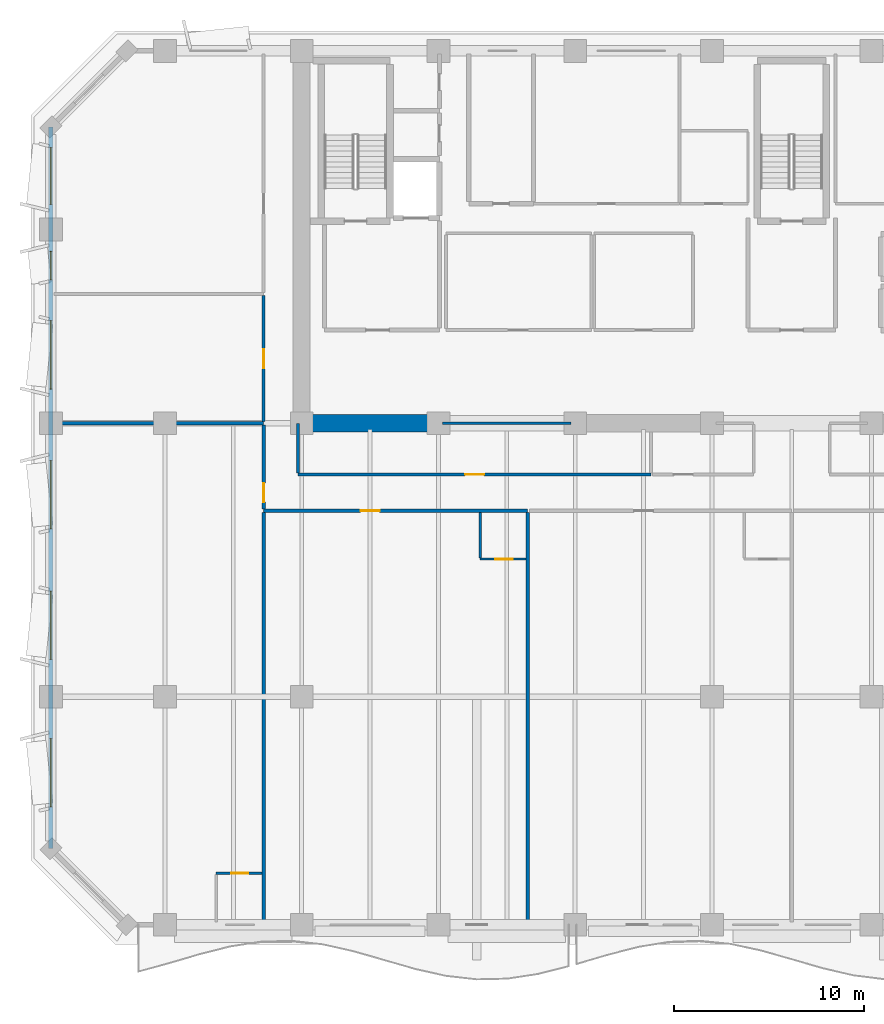
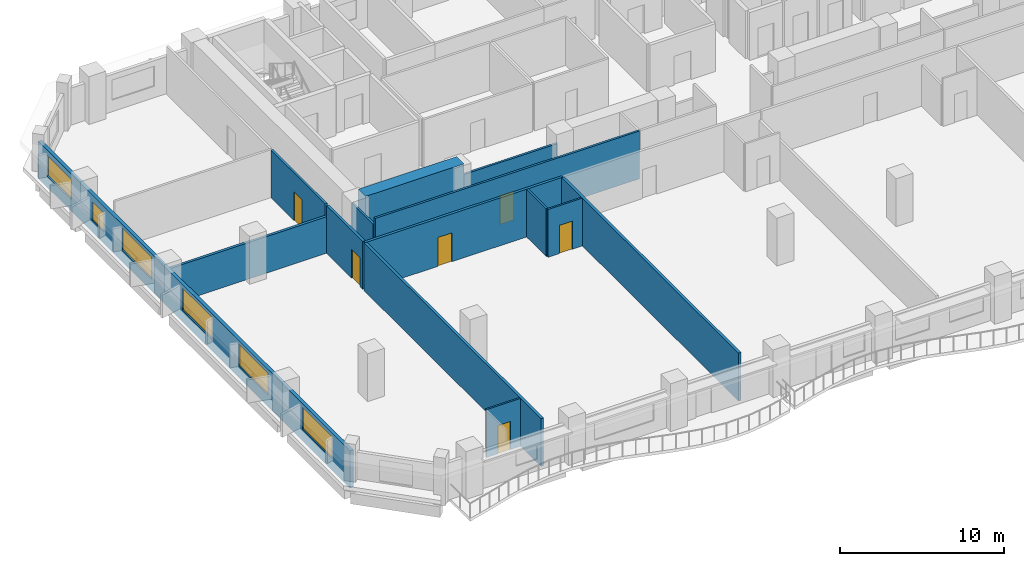
# One storey, part 4 of 14: 14 walls, 6 doors, 6 windows, 12 openings.
"""IFC4 building model written with IfcOpenShell, lengths in metres."""

from ifc_helpers import new_model, si_unit, direction, frame, frame_2d, origin, place, context, subcontext, project, spatial, rectangle, extrude, material, layer, layer_set, type_object, element, fill, save


model = new_model("IFC4")

# Units and contexts
model_context = context("Model", 3, precision=1e-05, world=origin(), true_north=direction((0.0, 1.0)))
body_context = subcontext(model_context, "Body", "Model", "MODEL_VIEW")
ifc_project = project(units=[si_unit("LENGTHUNIT", "METRE"), si_unit("AREAUNIT", "SQUARE_METRE"), si_unit("VOLUMEUNIT", "CUBIC_METRE"), si_unit("PLANEANGLEUNIT", "RADIAN"), si_unit("MASSUNIT", "GRAM", prefix="KILO")], contexts=[model_context])

# Site, building, storey
site_placement = place(None, origin())
site = spatial("IfcSite", under=ifc_project, at=site_placement, CompositionType="ELEMENT")
building_placement = place(site_placement, origin())
building = spatial("IfcBuilding", under=site, at=building_placement, Name="Kaelvorn Grand Hotel", CompositionType="ELEMENT")
storey_placement = place(building_placement, frame((0.0, 0.0, 220.550048828125)))
storey = spatial("IfcBuildingStorey", under=building, at=storey_placement, Name="L54", CompositionType="ELEMENT", Elevation=220.550048828125)

# Wall
ifc_material_1 = material(Name="Concrete C60/75", Category="concrete")
ifc_layer_1 = layer(ifc_material_1, 0.89990234375)
ifc_layer_set_1 = layer_set([ifc_layer_1], Name="Concrete C60/75")
wall_type_1 = type_object("IfcWallType", Name="WL-CORE-900-C60", PredefinedType="SHEAR", material=ifc_layer_set_1)
wall_1_placement = place(storey_placement, frame((16.655029296875, 29.39990234375, 0.0), z_axis=(0.0, 0.0, 1.0), x_axis=(1.0, 0.0, 0.0)))
element("IfcWall", 1, at=wall_1_placement, inside=storey, type_object=wall_type_1, Name="L54 Rear-Core Coupled Shear Pier S1", PredefinedType="SHEAR", context=body_context, shape_type="SweptSolid", body=[
    extrude(rectangle(XDim=6.945068359375, YDim=0.89990234375, at=frame_2d((3.47265625, 0.0))), origin(), (0.0, 0.0, 1.0), 3.56005859375),
])

# Wall, openings, windows
ifc_material_2 = material(Name="Concrete C40/50", Category="concrete")
ifc_layer_2 = layer(ifc_material_2, 0.239990234375)
ifc_layer_set_2 = layer_set([ifc_layer_2], Name="Concrete C40/50")
wall_type_2 = type_object("IfcWallType", Name="WL-EXT-240-C40", PredefinedType="SOLIDWALL", material=ifc_layer_set_2)
wall_2_placement = place(storey_placement, frame((3.0, 45.0, 0.0), z_axis=(0.0, 0.0, 1.0), x_axis=(0.0, -1.0, 0.0)))
wall_2 = element("IfcWall", 2, at=wall_2_placement, inside=storey, type_object=wall_type_2, Name="L54 Exterior Architectural Concrete Wall 07", PredefinedType="SOLIDWALL", context=body_context, shape_type="SweptSolid", body=[
    extrude(rectangle(XDim=38.0, YDim=0.239990234375, at=frame_2d((19.0, 0.0))), origin(), (0.0, 0.0, 1.0), 2.760009765625),
])
opening_1_placement = place(wall_2_placement, frame((32.199951171875, 0.0, 0.85009765625)))
opening_1 = element("IfcOpeningElement", 3, at=opening_1_placement, cuts=wall_2, Name="Opening W3", PredefinedType="OPENING", context=body_context, shape_type="SweptSolid", body=[
    extrude(rectangle(XDim=3.60009765625, YDim=1.64990234375, at=frame_2d((1.800048828125, 0.824951171875))), frame((0.0, 0.1298828125, 0.0), z_axis=(0.0, -1.0, 0.0), x_axis=(1.0, 0.0, 0.0)), (0.0, 0.0, 1.0), 0.260009765625),
])
opening_2_placement = place(wall_2_placement, frame((24.43505859375, 0.0, 0.85009765625)))
opening_2 = element("IfcOpeningElement", 4, at=opening_2_placement, cuts=wall_2, Name="Opening W3", PredefinedType="OPENING", context=body_context, shape_type="SweptSolid", body=[
    extrude(rectangle(XDim=3.60009765625, YDim=1.64990234375, at=frame_2d((1.800048828125, 0.824951171875))), frame((0.0, 0.1298828125, 0.0), z_axis=(0.0, -1.0, 0.0), x_axis=(1.0, 0.0, 0.0)), (0.0, 0.0, 1.0), 0.260009765625),
])
opening_3_placement = place(wall_2_placement, frame((17.56494140625, 0.0, 0.85009765625)))
opening_3 = element("IfcOpeningElement", 5, at=opening_3_placement, cuts=wall_2, Name="Opening W3", PredefinedType="OPENING", context=body_context, shape_type="SweptSolid", body=[
    extrude(rectangle(XDim=3.60009765625, YDim=1.64990234375, at=frame_2d((1.800048828125, 0.824951171875))), frame((0.0, 0.1298828125, 0.0), z_axis=(0.0, -1.0, 0.0), x_axis=(1.0, 0.0, 0.0)), (0.0, 0.0, 1.0), 0.260009765625),
])
opening_4_placement = place(wall_2_placement, frame((10.199951171875, 0.0, 0.85009765625)))
opening_4 = element("IfcOpeningElement", 6, at=opening_4_placement, cuts=wall_2, Name="Opening W3", PredefinedType="OPENING", context=body_context, shape_type="SweptSolid", body=[
    extrude(rectangle(XDim=3.60009765625, YDim=1.64990234375, at=frame_2d((1.800048828125, 0.824951171875))), frame((0.0, 0.1298828125, 0.0), z_axis=(0.0, -1.0, 0.0), x_axis=(1.0, 0.0, 0.0)), (0.0, 0.0, 1.0), 0.260009765625),
])
opening_5_placement = place(wall_2_placement, frame((6.550048828125, 0.0, 0.85009765625)))
opening_5 = element("IfcOpeningElement", 7, at=opening_5_placement, cuts=wall_2, Name="Opening W10", PredefinedType="OPENING", context=body_context, shape_type="SweptSolid", body=[
    extrude(rectangle(XDim=1.5, YDim=1.39990234375, at=frame_2d((0.75, 0.699951171875))), frame((0.0, 0.1298828125, 0.0), z_axis=(0.0, -1.0, 0.0), x_axis=(1.0, 0.0, 0.0)), (0.0, 0.0, 1.0), 0.260009765625),
])
opening_6_placement = place(wall_2_placement, frame((1.0849609375, 0.0, 0.85009765625)))
opening_6 = element("IfcOpeningElement", 8, at=opening_6_placement, cuts=wall_2, Name="Opening W5", PredefinedType="OPENING", context=body_context, shape_type="SweptSolid", body=[
    extrude(rectangle(XDim=3.0, YDim=1.5, at=frame_2d((1.5, 0.75))), frame((0.0, 0.1298828125, 0.0), z_axis=(0.0, -1.0, 0.0), x_axis=(1.0, 0.0, 0.0)), (0.0, 0.0, 1.0), 0.260009765625),
])
ifc_material_3 = material(Name="Laminated Low-E Glass", Category="glass")
window_type_1 = type_object("IfcWindowType", Name="WIN-COR-1500x1400", PartitioningType="SINGLE_PANEL", PredefinedType="WINDOW", material=ifc_material_3)
window_1_placement = place(opening_5_placement, origin())
window_1 = element("IfcWindow", 9, at=window_1_placement, inside=storey, type_object=window_type_1, Name="L54 W Wing Tilted-Frame Ribbon Window W05", OverallHeight=1.39990234375, OverallWidth=1.5, PartitioningType="SINGLE_PANEL", PredefinedType="WINDOW", context=body_context, shape_type="SweptSolid", body=[
    extrude(rectangle(XDim=1.5, YDim=1.39990234375, at=frame_2d((0.75, 0.699951171875))), frame((0.0, 0.030029296875, 0.0), z_axis=(0.0, -1.0, 0.0), x_axis=(1.0, 0.0, 0.0)), (0.0, 0.0, 1.0), 0.06005859375),
])
fill(opening_5, window_1)
window_type_2 = type_object("IfcWindowType", Name="WIN-NTH-3000x1500", PartitioningType="SINGLE_PANEL", PredefinedType="WINDOW", material=ifc_material_3)
window_2_placement = place(opening_6_placement, origin())
window_2 = element("IfcWindow", 10, at=window_2_placement, inside=storey, type_object=window_type_2, Name="L54 W Wing Tilted-Frame Ribbon Window W06", OverallHeight=1.5, OverallWidth=3.0, PartitioningType="SINGLE_PANEL", PredefinedType="WINDOW", context=body_context, shape_type="SweptSolid", body=[
    extrude(rectangle(XDim=3.0, YDim=1.5, at=frame_2d((1.5, 0.75))), frame((0.0, 0.030029296875, 0.0), z_axis=(0.0, -1.0, 0.0), x_axis=(1.0, 0.0, 0.0)), (0.0, 0.0, 1.0), 0.06005859375),
])
fill(opening_6, window_2)
window_type_3 = type_object("IfcWindowType", Name="WIN-RIB-3600x1750", PartitioningType="SINGLE_PANEL", PredefinedType="WINDOW", material=ifc_material_3)
window_3_placement = place(opening_1_placement, origin())
window_3 = element("IfcWindow", 11, at=window_3_placement, inside=storey, type_object=window_type_3, Name="L54 W Wing Tilted-Frame Ribbon Window W01", OverallHeight=1.64990234375, OverallWidth=3.60009765625, PartitioningType="SINGLE_PANEL", PredefinedType="WINDOW", context=body_context, shape_type="SweptSolid", body=[
    extrude(rectangle(XDim=3.60009765625, YDim=1.64990234375, at=frame_2d((1.800048828125, 0.824951171875))), frame((0.0, 0.030029296875, 0.0), z_axis=(0.0, -1.0, 0.0), x_axis=(1.0, 0.0, 0.0)), (0.0, 0.0, 1.0), 0.06005859375),
])
fill(opening_1, window_3)
window_4_placement = place(opening_2_placement, origin())
window_4 = element("IfcWindow", 12, at=window_4_placement, inside=storey, type_object=window_type_3, Name="L54 W Wing Tilted-Frame Ribbon Window W02", OverallHeight=1.64990234375, OverallWidth=3.60009765625, PartitioningType="SINGLE_PANEL", PredefinedType="WINDOW", context=body_context, shape_type="SweptSolid", body=[
    extrude(rectangle(XDim=3.60009765625, YDim=1.64990234375, at=frame_2d((1.800048828125, 0.824951171875))), frame((0.0, 0.030029296875, 0.0), z_axis=(0.0, -1.0, 0.0), x_axis=(1.0, 0.0, 0.0)), (0.0, 0.0, 1.0), 0.06005859375),
])
fill(opening_2, window_4)
window_5_placement = place(opening_3_placement, origin())
window_5 = element("IfcWindow", 13, at=window_5_placement, inside=storey, type_object=window_type_3, Name="L54 W Wing Tilted-Frame Ribbon Window W03", OverallHeight=1.64990234375, OverallWidth=3.60009765625, PartitioningType="SINGLE_PANEL", PredefinedType="WINDOW", context=body_context, shape_type="SweptSolid", body=[
    extrude(rectangle(XDim=3.60009765625, YDim=1.64990234375, at=frame_2d((1.800048828125, 0.824951171875))), frame((0.0, 0.030029296875, 0.0), z_axis=(0.0, -1.0, 0.0), x_axis=(1.0, 0.0, 0.0)), (0.0, 0.0, 1.0), 0.06005859375),
])
fill(opening_3, window_5)
window_6_placement = place(opening_4_placement, origin())
window_6 = element("IfcWindow", 14, at=window_6_placement, inside=storey, type_object=window_type_3, Name="L54 W Wing Tilted-Frame Ribbon Window W04", OverallHeight=1.64990234375, OverallWidth=3.60009765625, PartitioningType="SINGLE_PANEL", PredefinedType="WINDOW", context=body_context, shape_type="SweptSolid", body=[
    extrude(rectangle(XDim=3.60009765625, YDim=1.64990234375, at=frame_2d((1.800048828125, 0.824951171875))), frame((0.0, 0.030029296875, 0.0), z_axis=(0.0, -1.0, 0.0), x_axis=(1.0, 0.0, 0.0)), (0.0, 0.0, 1.0), 0.06005859375),
])
fill(opening_4, window_6)

# Wall, opening, door
ifc_material_4 = material(Name="Moisture-Resistant Tile & Stud Board")
ifc_layer_3 = layer(ifc_material_4, 0.125)
ifc_layer_set_3 = layer_set([ifc_layer_3], Name="Moisture-Resistant Tile & Stud Board")
wall_type_3 = type_object("IfcWallType", Name="WL-PART-125-WET", PredefinedType="PARTITIONING", material=ifc_layer_set_3)
wall_3_placement = place(storey_placement, frame((25.60009765625, 22.25, 0.0), z_axis=(0.0, 0.0, 1.0), x_axis=(1.0, 0.0, 0.0)))
wall_3 = element("IfcWall", 15, at=wall_3_placement, inside=storey, type_object=wall_type_3, Name="L54 En-suite Bathroom L54-01 S Partition", PredefinedType="PARTITIONING", context=body_context, shape_type="SweptSolid", body=[
    extrude(rectangle(XDim=2.40478515625, YDim=0.125, at=frame_2d((1.202392578125, 0.0))), origin(), (0.0, 0.0, 1.0), 3.56005859375),
])
opening_7_placement = place(wall_3_placement, frame((0.800048828125, 0.0, 0.0)))
opening_7 = element("IfcOpeningElement", 16, at=opening_7_placement, cuts=wall_3, Name="Opening DI4", PredefinedType="OPENING", context=body_context, shape_type="SweptSolid", body=[
    extrude(rectangle(XDim=0.89990234375, YDim=2.10009765625, at=frame_2d((0.449951171875, 1.050048828125))), frame((0.0, 0.072509765625, 0.0), z_axis=(0.0, -1.0, 0.0), x_axis=(1.0, 0.0, 0.0)), (0.0, 0.0, 1.0), 0.14501953125),
])
ifc_material_5 = material(Name="Timber Veneer Leaf", Category="wood")
door_type_1 = type_object("IfcDoorType", Name="DR-INT-BATH-900x2100", OperationType="NOTDEFINED", PredefinedType="DOOR", material=ifc_material_5)
door_1_placement = place(opening_7_placement, origin())
door_1 = element("IfcDoor", 17, at=door_1_placement, inside=storey, type_object=door_type_1, Name="L54 En-suite Bathroom L54-01 Door", OperationType="SINGLE_SWING_LEFT", OverallHeight=2.10009765625, OverallWidth=0.89990234375, PredefinedType="DOOR", context=body_context, shape_type="SweptSolid", body=[
    extrude(rectangle(XDim=0.89990234375, YDim=2.10009765625, at=frame_2d((0.449951171875, 1.050048828125))), frame((0.0, 0.02490234375, 0.0), z_axis=(0.0, -1.0, 0.0), x_axis=(1.0, 0.0, 0.0)), (0.0, 0.0, 1.0), 0.050048828125),
])
fill(opening_7, door_1)

# Wall
wall_4_placement = place(storey_placement, frame((25.60009765625, 22.3173828125, 0.0), z_axis=(0.0, 0.0, 1.0), x_axis=(0.0, 1.0, 0.0)))
element("IfcWall", 18, at=wall_4_placement, inside=storey, type_object=wall_type_3, Name="L54 En-suite Bathroom L54-01 W Partition", PredefinedType="PARTITIONING", context=body_context, shape_type="SweptSolid", body=[
    extrude(rectangle(XDim=2.3876953125, YDim=0.125, at=frame_2d((1.19384765625, 0.0))), origin(), (0.0, 0.0, 1.0), 3.56005859375),
])

# Wall, opening, door
wall_5_placement = place(storey_placement, frame((11.699951171875, 5.699951171875, 0.0), z_axis=(0.0, 0.0, 1.0), x_axis=(1.0, 0.0, 0.0)))
wall_5 = element("IfcWall", 19, at=wall_5_placement, inside=storey, type_object=wall_type_3, Name="L54 En-suite Bathroom L54-05 N Partition", PredefinedType="PARTITIONING", context=body_context, shape_type="SweptSolid", body=[
    extrude(rectangle(XDim=2.405029296875, YDim=0.125, at=frame_2d((1.20263671875, 0.0))), origin(), (0.0, 0.0, 1.0), 3.56005859375),
])
opening_8_placement = place(wall_5_placement, frame((0.800048828125, 0.0, 0.0)))
opening_8 = element("IfcOpeningElement", 20, at=opening_8_placement, cuts=wall_5, Name="Opening DI4", PredefinedType="OPENING", context=body_context, shape_type="SweptSolid", body=[
    extrude(rectangle(XDim=0.89990234375, YDim=2.10009765625, at=frame_2d((0.449951171875, 1.050048828125))), frame((0.0, 0.072509765625, 0.0), z_axis=(0.0, -1.0, 0.0), x_axis=(1.0, 0.0, 0.0)), (0.0, 0.0, 1.0), 0.14501953125),
])
door_2_placement = place(opening_8_placement, origin())
door_2 = element("IfcDoor", 21, at=door_2_placement, inside=storey, type_object=door_type_1, Name="L54 En-suite Bathroom L54-05 Door", OperationType="SINGLE_SWING_LEFT", OverallHeight=2.10009765625, OverallWidth=0.89990234375, PredefinedType="DOOR", context=body_context, shape_type="SweptSolid", body=[
    extrude(rectangle(XDim=0.89990234375, YDim=2.10009765625, at=frame_2d((0.449951171875, 1.050048828125))), frame((0.0, 0.02490234375, 0.0), z_axis=(0.0, -1.0, 0.0), x_axis=(1.0, 0.0, 0.0)), (0.0, 0.0, 1.0), 0.050048828125),
])
fill(opening_8, door_2)

ifc_material_6 = material(Name="Acoustic Gypsum & Stud Partition")
ifc_layer_4 = layer(ifc_material_6, 0.14990234375)
ifc_layer_set_4 = layer_set([ifc_layer_4], Name="Acoustic Gypsum & Stud Partition")
wall_type_4 = type_object("IfcWallType", Name="WL-PART-150-EI60", PredefinedType="PARTITIONING", material=ifc_layer_set_4)
wall_6_placement = place(storey_placement, frame((16.0, 26.699951171875, 0.0), z_axis=(0.0, 0.0, 1.0), x_axis=(1.0, 0.0, 0.0)))
wall_6 = element("IfcWall", 22, at=wall_6_placement, inside=storey, type_object=wall_type_4, Name="L54 Botanical Conservatory Salon S Partition", PredefinedType="PARTITIONING", context=body_context, shape_type="SweptSolid", body=[
    extrude(rectangle(XDim=18.60009765625, YDim=0.14990234375, at=frame_2d((9.300048828125, 0.0))), origin(), (0.0, 0.0, 1.0), 3.56005859375),
])
opening_9_placement = place(wall_6_placement, frame((8.800048828125, 0.0, 0.0)))
opening_9 = element("IfcOpeningElement", 23, at=opening_9_placement, cuts=wall_6, Name="Opening DI3", PredefinedType="OPENING", context=body_context, shape_type="SweptSolid", body=[
    extrude(rectangle(XDim=1.0, YDim=2.14990234375, at=frame_2d((0.5, 1.074951171875))), frame((0.0, 0.0849609375, 0.0), z_axis=(0.0, -1.0, 0.0), x_axis=(1.0, 0.0, 0.0)), (0.0, 0.0, 1.0), 0.169921875),
])
ifc_material_7 = material(Name="Timber Veneer Fire Leaf", Category="wood")
door_type_2 = type_object("IfcDoorType", Name="DR-INT-GUEST-1000x2150", OperationType="NOTDEFINED", PredefinedType="DOOR", material=ifc_material_7)
door_3_placement = place(opening_9_placement, origin())
door_3 = element("IfcDoor", 24, at=door_3_placement, inside=storey, type_object=door_type_2, Name="L54 Botanical Conservatory Salon Door", OperationType="SINGLE_SWING_RIGHT", OverallHeight=2.14990234375, OverallWidth=1.0, PredefinedType="DOOR", context=body_context, shape_type="SweptSolid", body=[
    extrude(rectangle(XDim=1.0, YDim=2.14990234375, at=frame_2d((0.5, 1.074951171875))), frame((0.0, 0.02490234375, 0.0), z_axis=(0.0, -1.0, 0.0), x_axis=(1.0, 0.0, 0.0)), (0.0, 0.0, 1.0), 0.050048828125),
])
fill(opening_9, door_3)

# Walls
wall_7_placement = place(storey_placement, frame((23.610107421875, 29.39990234375, 0.0), z_axis=(0.0, 0.0, 1.0), x_axis=(1.0, 0.0, 0.0)))
element("IfcWall", 25, at=wall_7_placement, inside=storey, type_object=wall_type_4, Name="L54 Botanical Conservatory Salon N Partition", PredefinedType="PARTITIONING", context=body_context, shape_type="SweptSolid", body=[
    extrude(rectangle(XDim=6.77978515625, YDim=0.14990234375, at=frame_2d((3.389892578125, 0.0))), origin(), (0.0, 0.0, 1.0), 2.4599609375),
])
wall_8_placement = place(storey_placement, frame((16.0, 26.780029296875, 0.0), z_axis=(0.0, 0.0, 1.0), x_axis=(0.0, 1.0, 0.0)))
element("IfcWall", 26, at=wall_8_placement, inside=storey, type_object=wall_type_4, Name="L54 Botanical Conservatory Salon W Partition", PredefinedType="PARTITIONING", context=body_context, shape_type="SweptSolid", body=[
    extrude(rectangle(XDim=2.60986328125, YDim=0.14990234375, at=frame_2d((1.304931640625, 0.0))), origin(), (0.0, 0.0, 1.0), 3.06005859375),
])

# Wall, opening, door
wall_9_placement = place(storey_placement, frame((14.199951171875, 29.4951171875, 0.0), z_axis=(0.0, 0.0, 1.0), x_axis=(0.0, 1.0, 0.0)))
wall_9 = element("IfcWall", 27, at=wall_9_placement, inside=storey, type_object=wall_type_4, Name="L54 North-West Botanical Conservatory Salon E Partition", PredefinedType="PARTITIONING", context=body_context, shape_type="SweptSolid", body=[
    extrude(rectangle(XDim=6.625, YDim=0.14990234375, at=frame_2d((3.3125, 0.0))), origin(), (0.0, 0.0, 1.0), 3.56005859375),
])
opening_10_placement = place(wall_9_placement, frame((2.804931640625, 0.0, 0.0)))
opening_10 = element("IfcOpeningElement", 28, at=opening_10_placement, cuts=wall_9, Name="Opening DI3", PredefinedType="OPENING", context=body_context, shape_type="SweptSolid", body=[
    extrude(rectangle(XDim=1.0, YDim=2.14990234375, at=frame_2d((0.5, 1.074951171875))), frame((0.0, 0.0849609375, 0.0), z_axis=(0.0, -1.0, 0.0), x_axis=(1.0, 0.0, 0.0)), (0.0, 0.0, 1.0), 0.169921875),
])
door_4_placement = place(opening_10_placement, origin())
door_4 = element("IfcDoor", 29, at=door_4_placement, inside=storey, type_object=door_type_2, Name="L54 North-West Botanical Conservatory Salon Door", OperationType="SINGLE_SWING_RIGHT", OverallHeight=2.14990234375, OverallWidth=1.0, PredefinedType="DOOR", context=body_context, shape_type="SweptSolid", body=[
    extrude(rectangle(XDim=1.0, YDim=2.14990234375, at=frame_2d((0.5, 1.074951171875))), frame((0.0, 0.02490234375, 0.0), z_axis=(0.0, -1.0, 0.0), x_axis=(1.0, 0.0, 0.0)), (0.0, 0.0, 1.0), 0.050048828125),
])
fill(opening_10, door_4)

ifc_layer_5 = layer(ifc_material_6, 0.179931640625)
ifc_layer_set_5 = layer_set([ifc_layer_5], Name="Acoustic Gypsum & Stud Partition")
wall_type_5 = type_object("IfcWallType", Name="WL-PART-180-EI60", PredefinedType="PARTITIONING", material=ifc_layer_set_5)
wall_10_placement = place(storey_placement, frame((14.199951171875, 24.800048828125, 0.0), z_axis=(0.0, 0.0, 1.0), x_axis=(1.0, 0.0, 0.0)))
wall_10 = element("IfcWall", 30, at=wall_10_placement, inside=storey, type_object=wall_type_5, Name="L54 Presidential Sky Suite L54-01 N Partition", PredefinedType="PARTITIONING", context=body_context, shape_type="SweptSolid", body=[
    extrude(rectangle(XDim=13.900146484375, YDim=0.179931640625, at=frame_2d((6.9501953125, 0.0))), origin(), (0.0, 0.0, 1.0), 3.56005859375),
])
opening_11_placement = place(wall_10_placement, frame((5.10009765625, 0.0, 0.0)))
opening_11 = element("IfcOpeningElement", 31, at=opening_11_placement, cuts=wall_10, Name="Opening DI3", PredefinedType="OPENING", context=body_context, shape_type="SweptSolid", body=[
    extrude(rectangle(XDim=1.0, YDim=2.14990234375, at=frame_2d((0.5, 1.074951171875))), frame((0.0, 0.10009765625, 0.0), z_axis=(0.0, -1.0, 0.0), x_axis=(1.0, 0.0, 0.0)), (0.0, 0.0, 1.0), 0.199951171875),
])
door_5_placement = place(opening_11_placement, origin())
door_5 = element("IfcDoor", 32, at=door_5_placement, inside=storey, type_object=door_type_2, Name="L54 Presidential Sky Suite L54-01 Door", OperationType="SINGLE_SWING_RIGHT", OverallHeight=2.14990234375, OverallWidth=1.0, PredefinedType="DOOR", context=body_context, shape_type="SweptSolid", body=[
    extrude(rectangle(XDim=1.0, YDim=2.14990234375, at=frame_2d((0.5, 1.074951171875))), frame((0.0, 0.02490234375, 0.0), z_axis=(0.0, -1.0, 0.0), x_axis=(1.0, 0.0, 0.0)), (0.0, 0.0, 1.0), 0.050048828125),
])
fill(opening_11, door_5)

# Walls
for number, where, z_axis, x_axis, name in (
    (33, (14.199951171875, 3.14990234375, 0.0), (0.0, 0.0, 1.0), (0.0, 1.0, 0.0), "L54 Presidential Sky Suite L54-01 W Partition"),
    (34, (28.10009765625, 3.14990234375, 0.0), (0.0, 0.0, 1.0), (0.0, 1.0, 0.0), "L54 Presidential Sky Suite L54-01 E Partition"),
):
    element("IfcWall", number, at=place(storey_placement, frame(where, z_axis=z_axis, x_axis=x_axis)), inside=storey, type_object=wall_type_5, Name=name, PredefinedType="PARTITIONING", context=body_context, shape_type="SweptSolid", body=[
        extrude(rectangle(XDim=21.55517578125, YDim=0.179931640625, at=frame_2d((10.777587890625, 0.0))), origin(), (0.0, 0.0, 1.0), 3.56005859375),
    ])
wall_11_placement = place(storey_placement, frame((3.14990234375, 29.39990234375, 0.0), z_axis=(0.0, 0.0, 1.0), x_axis=(1.0, 0.0, 0.0)))
element("IfcWall", 35, at=wall_11_placement, inside=storey, type_object=wall_type_5, Name="L54 Presidential Sky Suite L54-05 N Partition", PredefinedType="PARTITIONING", context=body_context, shape_type="SweptSolid", body=[
    extrude(rectangle(XDim=11.050048828125, YDim=0.179931640625, at=frame_2d((5.52490234375, 0.0))), origin(), (0.0, 0.0, 1.0), 2.71923828125),
])

# Wall, opening, door
wall_12_placement = place(storey_placement, frame((14.199951171875, 24.89501953125, 0.0), z_axis=(0.0, 0.0, 1.0), x_axis=(0.0, 1.0, 0.0)))
wall_12 = element("IfcWall", 36, at=wall_12_placement, inside=storey, type_object=wall_type_5, Name="L54 Presidential Sky Suite L54-05 E Partition", PredefinedType="PARTITIONING", context=body_context, shape_type="SweptSolid", body=[
    extrude(rectangle(XDim=4.409912109375, YDim=0.179931640625, at=frame_2d((2.205078125, 0.0))), origin(), (0.0, 0.0, 1.0), 3.56005859375),
])
opening_12_placement = place(wall_12_placement, frame((0.35498046875, 0.0, 0.0)))
opening_12 = element("IfcOpeningElement", 37, at=opening_12_placement, cuts=wall_12, Name="Opening DI3", PredefinedType="OPENING", context=body_context, shape_type="SweptSolid", body=[
    extrude(rectangle(XDim=1.0, YDim=2.14990234375, at=frame_2d((0.5, 1.074951171875))), frame((0.0, 0.10009765625, 0.0), z_axis=(0.0, -1.0, 0.0), x_axis=(1.0, 0.0, 0.0)), (0.0, 0.0, 1.0), 0.199951171875),
])
door_6_placement = place(opening_12_placement, origin())
door_6 = element("IfcDoor", 38, at=door_6_placement, inside=storey, type_object=door_type_2, Name="L54 Presidential Sky Suite L54-05 Door", OperationType="SINGLE_SWING_RIGHT", OverallHeight=2.14990234375, OverallWidth=1.0, PredefinedType="DOOR", context=body_context, shape_type="SweptSolid", body=[
    extrude(rectangle(XDim=1.0, YDim=2.14990234375, at=frame_2d((0.5, 1.074951171875))), frame((0.0, 0.02490234375, 0.0), z_axis=(0.0, -1.0, 0.0), x_axis=(1.0, 0.0, 0.0)), (0.0, 0.0, 1.0), 0.050048828125),
])
fill(opening_12, door_6)

save(model, "model.ifc")
